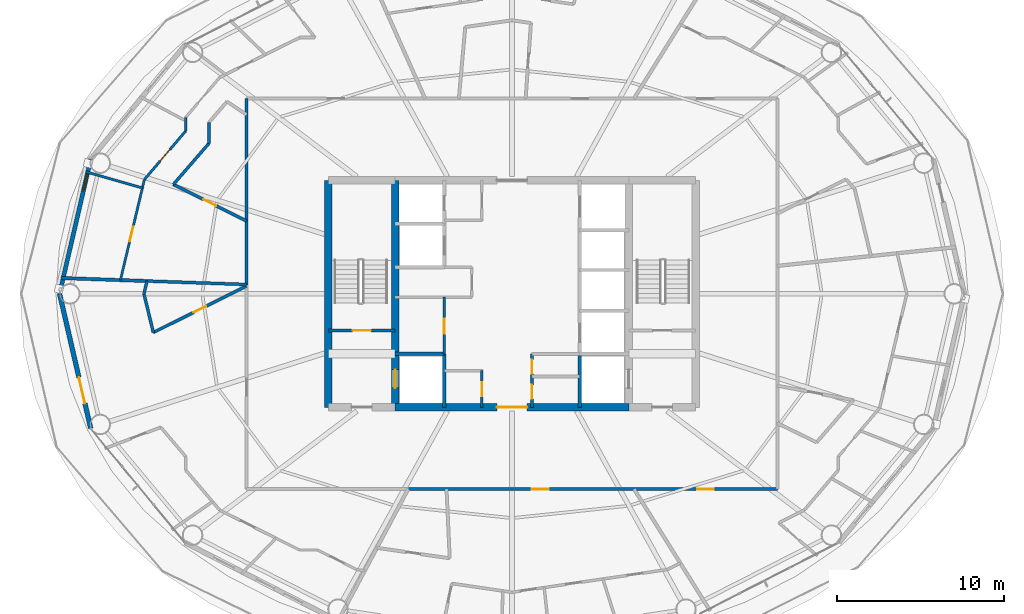
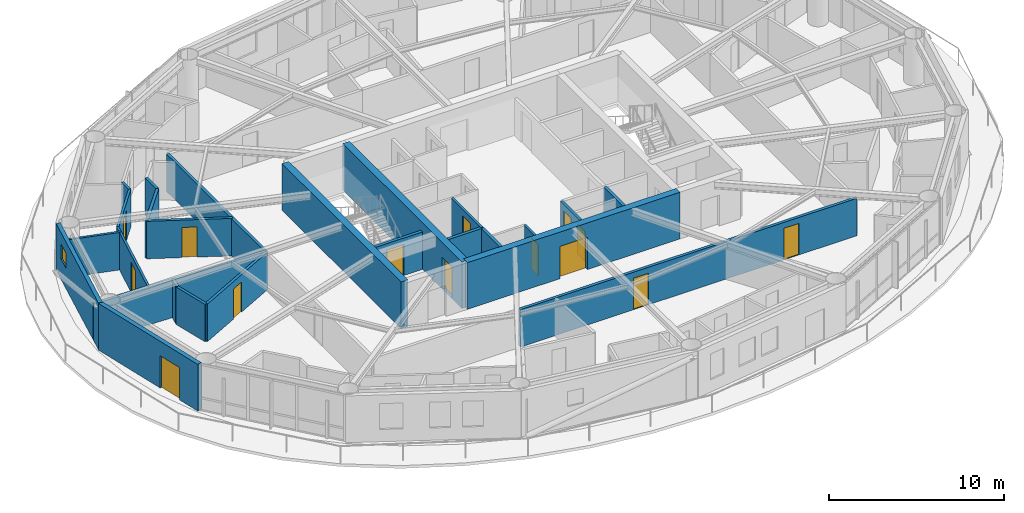
# One storey, part 21 of 28: 26 walls, 14 doors, 1 window, 15 openings.
"""IFC4 building model written with IfcOpenShell, lengths in metres."""

import ifcopenshell
import ifcopenshell.guid

model = None  # the IFC model being written
_history = None  # IfcOwnerHistory: only IFC2X3 demands one
_inside = {}  # id of a spatial element -> (the spatial element, [elements in it])
_under = {}  # id of a project, library or spatial element -> (it, [spatial elements below it])
_declared = {}  # id of a project -> (the project, [libraries it declares])
_typed = {}  # id of a type object -> (the type object, [elements of that type])
_made_of = {}  # id of a material, layer set ... -> (it, [elements and type objects made of it])


def new_model(schema):
    """Start an empty IFC model of exactly this schema.

    Asked for "IFC4X3", IfcOpenShell would pick the latest addendum, in which some entities
    have other attributes; the version numbers below select the first issue.
    IFC2X3 requires an IfcOwnerHistory on every rooted entity: one is made here for all.
    """
    global model, _history
    if schema == "IFC4X3":
        model = ifcopenshell.file(schema_version=(4, 3, 0, 0))
    else:
        model = ifcopenshell.file(schema=schema)
    _inside.clear()
    _under.clear()
    _declared.clear()
    _typed.clear()
    _made_of.clear()
    _history = None
    if model.schema == "IFC2X3":
        org = make("IfcOrganization", Name="unknown")
        user = make(
            "IfcPersonAndOrganization",
            ThePerson=make("IfcPerson", FamilyName="unknown"),
            TheOrganization=org,
        )
        app = make(
            "IfcApplication",
            ApplicationDeveloper=org,
            Version="unknown",
            ApplicationFullName="unknown",
            ApplicationIdentifier="unknown",
        )
        _history = make(
            "IfcOwnerHistory",
            OwningUser=user,
            OwningApplication=app,
            ChangeAction="ADDED",
            CreationDate=0,
        )
    return model


def make(cls, **values):
    """One entity of the class cls with the attributes given. An attribute that is None is left unset."""
    return model.create_entity(
        cls, **{name: value for name, value in values.items() if value is not None}
    )


def rooted(cls, **values):
    """An entity with a GlobalId (a new one), such as an element, a storey or a relation."""
    return make(cls, GlobalId=ifcopenshell.guid.new(), OwnerHistory=_history, **values)


def si_unit(unit_type, name, prefix=None):
    """IfcSIUnit, for example si_unit("LENGTHUNIT", "METRE", prefix="MILLI")."""
    return make("IfcSIUnit", UnitType=unit_type, Prefix=prefix, Name=name)


def assignment(units):
    """IfcUnitAssignment: the units of a project."""
    return None if units is None else make("IfcUnitAssignment", Units=units)


def point(xyz):
    """IfcCartesianPoint."""
    return None if xyz is None else make("IfcCartesianPoint", Coordinates=xyz)


def direction(xyz):
    """IfcDirection."""
    return None if xyz is None else make("IfcDirection", DirectionRatios=xyz)


def frame(location, z_axis=None, x_axis=None):
    """IfcAxis2Placement3D, a coordinate frame: its origin and axes. An axis left out is left unset."""
    return make(
        "IfcAxis2Placement3D",
        Location=point(location),
        Axis=direction(z_axis),
        RefDirection=direction(x_axis),
    )


def frame_2d(location, x_axis=None):
    """IfcAxis2Placement2D, a coordinate frame in the plane: its origin and x axis."""
    return make(
        "IfcAxis2Placement2D", Location=point(location), RefDirection=direction(x_axis)
    )


def origin():
    """The frame at (0, 0, 0) with its axes left unset."""
    return frame((0.0, 0.0, 0.0))


def place(relative_to, where):
    """IfcLocalPlacement: puts the frame where relative to a parent placement (None: the world)."""
    return make(
        "IfcLocalPlacement", PlacementRelTo=relative_to, RelativePlacement=where
    )


def context(
    kind, dimensions, precision=None, world=None, true_north=None, identifier=None
):
    """IfcGeometricRepresentationContext, for example the 3D "Model" context."""
    return make(
        "IfcGeometricRepresentationContext",
        ContextIdentifier=identifier,
        ContextType=kind,
        CoordinateSpaceDimension=dimensions,
        Precision=precision,
        WorldCoordinateSystem=world,
        TrueNorth=true_north,
    )


def subcontext(parent, identifier, kind, view, scale=None):
    """IfcGeometricRepresentationSubContext, for example "Body" below "Model"."""
    return make(
        "IfcGeometricRepresentationSubContext",
        ContextIdentifier=identifier,
        ContextType=kind,
        ParentContext=parent,
        TargetScale=scale,
        TargetView=view,
    )


def project(units=None, contexts=None):
    """IfcProject with its units and contexts."""
    return rooted(
        "IfcProject",
        Name="project",
        RepresentationContexts=contexts,
        UnitsInContext=assignment(units),
    )


def spatial(cls, under=None, at=None, **own):
    """A site, building, storey or space (cls), placed at a placement, below another one or the project."""
    s = rooted(cls, ObjectPlacement=at, **own)
    if under is not None:
        _under.setdefault(under.id(), (under, []))[1].append(s)
    return s


def profile(cls, at=None, kind="AREA", **sizes):
    """A parametric profile (cls). Its sizes go by their IFC names, for example OverallWidth=200.0."""
    return make(cls, ProfileType=kind, Position=at, **sizes)


def rectangle(**sizes):
    """IfcRectangleProfileDef."""
    return profile("IfcRectangleProfileDef", **sizes)


def extrude(swept, where, along, depth):
    """IfcExtrudedAreaSolid: the profile swept, set in the frame where, extruded along a direction by depth."""
    return make(
        "IfcExtrudedAreaSolid",
        SweptArea=swept,
        Position=where,
        ExtrudedDirection=direction(along),
        Depth=depth,
    )


def shape(context_of_items, identifier, shape_type, items):
    """IfcShapeRepresentation: the items that make up one representation, for example the "Body"."""
    return make(
        "IfcShapeRepresentation",
        ContextOfItems=context_of_items,
        RepresentationIdentifier=identifier,
        RepresentationType=shape_type,
        Items=items,
    )


def material(Name=None, Category=None):
    """IfcMaterial."""
    return make("IfcMaterial", Name=Name, Category=Category)


def layer(
    of_material, thickness, ventilated=None, Name=None, Category=None, Priority=None
):
    """IfcMaterialLayer: one layer of a wall or slab, of a material (None: an air gap)."""
    return make(
        "IfcMaterialLayer",
        Material=of_material,
        LayerThickness=thickness,
        IsVentilated=ventilated,
        Name=Name,
        Category=Category,
        Priority=Priority,
    )


def layer_set(layers, Name=None):
    """IfcMaterialLayerSet."""
    return make("IfcMaterialLayerSet", MaterialLayers=layers, LayerSetName=Name)


def made_of(thing, what):
    """Note that an element or type object is made of a material, layer set ...; save() writes the relation."""
    if what is not None:
        _made_of.setdefault(what.id(), (what, []))[1].append(thing)
    return thing


def type_object(cls, material=None, **own):
    """A type object (cls), such as IfcWallType, which elements share."""
    return made_of(rooted(cls, **own), material)


def element(
    cls,
    number,
    at=None,
    inside=None,
    cuts=None,
    type_object=None,
    material=None,
    context=None,
    identifier="Body",
    shape_type=None,
    held_by="IfcProductDefinitionShape",
    body=None,
    shapes=None,
    **own,
):
    """One element of the class cls, such as IfcWall. Its Tag is "e" and its number.

    at: its placement. inside: the storey or other place that contains it. cuts: it is an
    opening in that element (IfcRelVoidsElement). A single representation is given by context,
    identifier, shape_type and body (its items); several are given by shapes. held_by: the class
    of the entity that holds the representations. save() writes the other relations.
    """
    e = rooted(cls, Tag="e%d" % number, ObjectPlacement=at, **own)
    if body is not None:
        shapes = [shape(context, identifier, shape_type, body)]
    if shapes is not None:
        e.Representation = make(held_by, Representations=shapes)
    if inside is not None:
        _inside.setdefault(inside.id(), (inside, []))[1].append(e)
    if cuts is not None:
        rooted(
            "IfcRelVoidsElement", RelatingBuildingElement=cuts, RelatedOpeningElement=e
        )
    if type_object is not None:
        _typed.setdefault(type_object.id(), (type_object, []))[1].append(e)
    return made_of(e, material)


def fill(opening, filler):
    """IfcRelFillsElement: the door or window that sits in an opening."""
    return rooted(
        "IfcRelFillsElement",
        RelatingOpeningElement=opening,
        RelatedBuildingElement=filler,
    )


def aggregate(whole, parts):
    """IfcRelAggregates: a whole, such as a stair, and the parts it consists of."""
    return rooted("IfcRelAggregates", RelatingObject=whole, RelatedObjects=parts)


def save(model, path):
    """Write the relations noted so far, then the file.

    IfcRelAggregates (storeys below a building ...), IfcRelContainedInSpatialStructure (elements
    in a storey), IfcRelDefinesByType, IfcRelAssociatesMaterial and IfcRelDeclares: one each for
    every whole, place, type object, material and project.
    """
    for whole, parts in _under.values():
        aggregate(whole, parts)
    for where, things in _inside.values():
        rooted(
            "IfcRelContainedInSpatialStructure",
            RelatedElements=things,
            RelatingStructure=where,
        )
    for kind, things in _typed.values():
        rooted("IfcRelDefinesByType", RelatedObjects=things, RelatingType=kind)
    for what, things in _made_of.values():
        rooted("IfcRelAssociatesMaterial", RelatedObjects=things, RelatingMaterial=what)
    for by, libraries in _declared.values():
        rooted("IfcRelDeclares", RelatingContext=by, RelatedDefinitions=libraries)
    model.write(path)


model = new_model("IFC4")

# Units and contexts
model_context = context("Model", 3, precision=1e-05, world=origin(), true_north=direction((0.0, 1.0)))
body_context = subcontext(model_context, "Body", "Model", "MODEL_VIEW")
ifc_project = project(units=[si_unit("LENGTHUNIT", "METRE"), si_unit("AREAUNIT", "SQUARE_METRE"), si_unit("VOLUMEUNIT", "CUBIC_METRE"), si_unit("PLANEANGLEUNIT", "RADIAN"), si_unit("MASSUNIT", "GRAM", prefix="KILO")], contexts=[model_context])

# Site, building, storey
site_placement = place(None, origin())
site = spatial("IfcSite", under=ifc_project, at=site_placement, CompositionType="ELEMENT")
building_placement = place(site_placement, origin())
building = spatial("IfcBuilding", under=site, at=building_placement, Name="Sarneth Arch Tower", CompositionType="ELEMENT")
storey_placement = place(building_placement, frame((0.0, 0.0, 197.39990234375)))
storey = spatial("IfcBuildingStorey", under=building, at=storey_placement, Name="L50", CompositionType="ELEMENT", Elevation=197.39990234375)

# Wall, opening, door
ifc_material_1 = material(Name="Concrete C50/60", Category="concrete")
ifc_layer_1 = layer(ifc_material_1, 0.449951171875)
ifc_layer_set_1 = layer_set([ifc_layer_1], Name="Concrete C50/60")
wall_type_1 = type_object("IfcWallType", Name="WALL-CORE-450", PredefinedType="SHEAR", material=ifc_layer_set_1)
wall_1_placement = place(storey_placement, frame((41.0, 35.199951171875, 0.0), z_axis=(0.0, 0.0, 1.0), x_axis=(1.0, 0.0, 0.0)))
wall_1 = element("IfcWall", 1, at=wall_1_placement, inside=storey, type_object=wall_type_1, Name="L50 Core shear wall S-M", PredefinedType="SHEAR", context=body_context, shape_type="SweptSolid", body=[
    extrude(rectangle(XDim=14.0, YDim=0.449951171875, at=frame_2d((7.0, 0.0))), origin(), (0.0, 0.0, 1.0), 3.25),
])
opening_1_placement = place(wall_1_placement, frame((6.10009765625, 0.0, 0.0)))
opening_1 = element("IfcOpeningElement", 2, at=opening_1_placement, cuts=wall_1, Name="Opening FD-01", PredefinedType="OPENING", context=body_context, shape_type="SweptSolid", body=[
    extrude(rectangle(XDim=1.800048828125, YDim=2.25, at=frame_2d((0.89990234375, 1.125))), frame((0.0, 0.23486328125, 0.0), z_axis=(0.0, -1.0, 0.0), x_axis=(1.0, 0.0, 0.0)), (0.0, 0.0, 1.0), 0.469970703125),
])
ifc_material_2 = material(Name="Galvanised Steel S275 fire door set", Category="steel")
door_type_1 = type_object("IfcDoorType", Name="DR-FD90-1800", OperationType="DOUBLE_DOOR_SINGLE_SWING", PredefinedType="DOOR", material=ifc_material_2)
door_1_placement = place(opening_1_placement, origin())
door_1 = element("IfcDoor", 3, at=door_1_placement, inside=storey, type_object=door_type_1, Name="L50 Central lift lobby south door", OperationType="DOUBLE_DOOR_SINGLE_SWING", OverallHeight=2.25, OverallWidth=1.800048828125, PredefinedType="DOOR", context=body_context, shape_type="SweptSolid", body=[
    extrude(rectangle(XDim=1.800048828125, YDim=2.25, at=frame_2d((0.89990234375, 1.125))), frame((0.0, 0.02490234375, 0.0), z_axis=(0.0, -1.0, 0.0), x_axis=(1.0, 0.0, 0.0)), (0.0, 0.0, 1.0), 0.050048828125),
])
fill(opening_1, door_1)

# Wall
wall_2_placement = place(storey_placement, frame((37.0, 35.199951171875, 0.0), z_axis=(0.0, 0.0, 1.0), x_axis=(0.0, 1.0, 0.0)))
element("IfcWall", 4, at=wall_2_placement, inside=storey, type_object=wall_type_1, Name="L50 Core shear wall W", PredefinedType="SHEAR", context=body_context, shape_type="SweptSolid", body=[
    extrude(rectangle(XDim=13.60009765625, YDim=0.449951171875, at=frame_2d((6.800048828125, 0.0))), origin(), (0.0, 0.0, 1.0), 3.25),
])

# Wall, opening, door
wall_3_placement = place(storey_placement, frame((41.0, 35.199951171875, 0.0), z_axis=(0.0, 0.0, 1.0), x_axis=(0.0, 1.0, 0.0)))
wall_3 = element("IfcWall", 5, at=wall_3_placement, inside=storey, type_object=wall_type_1, Name="L50 Core shear wall WEB-W", PredefinedType="SHEAR", context=body_context, shape_type="SweptSolid", body=[
    extrude(rectangle(XDim=13.60009765625, YDim=0.449951171875, at=frame_2d((6.800048828125, 0.0))), origin(), (0.0, 0.0, 1.0), 3.25),
])
opening_2_placement = place(wall_3_placement, frame((1.14990234375, 0.0, 0.0)))
opening_2 = element("IfcOpeningElement", 6, at=opening_2_placement, cuts=wall_3, Name="Opening LD-1", PredefinedType="OPENING", context=body_context, shape_type="SweptSolid", body=[
    extrude(rectangle(XDim=1.10009765625, YDim=2.199951171875, at=frame_2d((0.550048828125, 1.10009765625))), frame((0.0, 0.23486328125, 0.0), z_axis=(0.0, -1.0, 0.0), x_axis=(1.0, 0.0, 0.0)), (0.0, 0.0, 1.0), 0.469970703125),
])
ifc_material_3 = material(Name="Brushed Stainless Steel 304 lift landing door", Category="steel")
door_type_2 = type_object("IfcDoorType", Name="DR-LIFT-SLIDE-1100", OperationType="SLIDING_TO_LEFT", PredefinedType="DOOR", material=ifc_material_3)
door_2_placement = place(opening_2_placement, origin())
door_2 = element("IfcDoor", 7, at=door_2_placement, inside=storey, type_object=door_type_2, Name="L50 Firefighting lift landing door FL-1", OperationType="SLIDING_TO_LEFT", OverallHeight=2.199951171875, OverallWidth=1.10009765625, PredefinedType="DOOR", context=body_context, shape_type="SweptSolid", body=[
    extrude(rectangle(XDim=1.10009765625, YDim=2.199951171875, at=frame_2d((0.550048828125, 1.10009765625))), frame((0.0, 0.02490234375, 0.0), z_axis=(0.0, -1.0, 0.0), x_axis=(1.0, 0.0, 0.0)), (0.0, 0.0, 1.0), 0.050048828125),
])
fill(opening_2, door_2)

# Wall, openings, doors
ifc_material_4 = material(Name="Double steel-stud corridor fire wall", Category="steel")
ifc_layer_2 = layer(ifc_material_4, 0.18994140625)
ifc_layer_set_2 = layer_set([ifc_layer_2], Name="Double steel-stud corridor fire wall")
wall_type_2 = type_object("IfcWallType", Name="WALL-CORR-190", PredefinedType="PARTITIONING", material=ifc_layer_set_2)
wall_4_placement = place(storey_placement, frame((41.742919921875, 30.300048828125, 0.0), z_axis=(0.0, 0.0, 1.0), x_axis=(1.0, 0.0, 0.0)))
wall_4 = element("IfcWall", 8, at=wall_4_placement, inside=storey, type_object=wall_type_2, Name="L50 Interior partition W-L50-TP-014", PredefinedType="PARTITIONING", context=body_context, shape_type="SweptSolid", body=[
    extrude(rectangle(XDim=22.156982421875, YDim=0.18994140625, at=frame_2d((11.07861328125, 0.0))), origin(), (0.0, 0.0, 1.0), 2.610107421875),
])
opening_3_placement = place(wall_4_placement, frame((7.451171875, 0.0, 0.0)))
opening_3 = element("IfcOpeningElement", 9, at=opening_3_placement, cuts=wall_4, Name="Opening FD-08", PredefinedType="OPENING", context=body_context, shape_type="SweptSolid", body=[
    extrude(rectangle(XDim=1.0, YDim=2.199951171875, at=frame_2d((0.5, 1.10009765625))), frame((0.0, 0.10498046875, 0.0), z_axis=(0.0, -1.0, 0.0), x_axis=(1.0, 0.0, 0.0)), (0.0, 0.0, 1.0), 0.2099609375),
])
opening_4_placement = place(wall_4_placement, frame((17.343994140625, 0.0, 0.0)))
opening_4 = element("IfcOpeningElement", 10, at=opening_4_placement, cuts=wall_4, Name="Opening FD-08", PredefinedType="OPENING", context=body_context, shape_type="SweptSolid", body=[
    extrude(rectangle(XDim=1.0, YDim=2.199951171875, at=frame_2d((0.5, 1.10009765625))), frame((0.0, 0.10498046875, 0.0), z_axis=(0.0, -1.0, 0.0), x_axis=(1.0, 0.0, 0.0)), (0.0, 0.0, 1.0), 0.2099609375),
])
ifc_material_5 = material(Name="Hardwood timber acoustic fire door", Category="wood")
door_type_3 = type_object("IfcDoorType", Name="DR-FD60-1000", OperationType="SINGLE_SWING_LEFT", PredefinedType="DOOR", material=ifc_material_5)
door_3_placement = place(opening_3_placement, origin())
door_3 = element("IfcDoor", 11, at=door_3_placement, inside=storey, type_object=door_type_3, Name="L50 Interior door DR-L50-U5-ENT", OperationType="SINGLE_SWING_RIGHT", OverallHeight=2.199951171875, OverallWidth=1.0, PredefinedType="DOOR", context=body_context, shape_type="SweptSolid", body=[
    extrude(rectangle(XDim=1.0, YDim=2.199951171875, at=frame_2d((0.5, 1.10009765625))), frame((0.0, 0.02490234375, 0.0), z_axis=(0.0, -1.0, 0.0), x_axis=(1.0, 0.0, 0.0)), (0.0, 0.0, 1.0), 0.050048828125),
])
fill(opening_3, door_3)
door_4_placement = place(opening_4_placement, origin())
door_4 = element("IfcDoor", 12, at=door_4_placement, inside=storey, type_object=door_type_3, Name="L50 Interior door DR-L50-U6-ENT", OperationType="SINGLE_SWING_RIGHT", OverallHeight=2.199951171875, OverallWidth=1.0, PredefinedType="DOOR", context=body_context, shape_type="SweptSolid", body=[
    extrude(rectangle(XDim=1.0, YDim=2.199951171875, at=frame_2d((0.5, 1.10009765625))), frame((0.0, 0.02490234375, 0.0), z_axis=(0.0, -1.0, 0.0), x_axis=(1.0, 0.0, 0.0)), (0.0, 0.0, 1.0), 0.050048828125),
])
fill(opening_4, door_4)

# Wall
wall_5_placement = place(storey_placement, frame((32.10009765625, 42.523193359375, 0.0), z_axis=(0.0, 0.0, 1.0), x_axis=(0.0, 1.0, 0.0)))
element("IfcWall", 13, at=wall_5_placement, inside=storey, type_object=wall_type_2, Name="L50 Interior partition W-L50-TP-010", PredefinedType="PARTITIONING", context=body_context, shape_type="SweptSolid", body=[
    extrude(rectangle(XDim=11.1767578125, YDim=0.18994140625, at=frame_2d((5.58837890625, 0.0))), origin(), (0.0, 0.0, 1.0), 2.610107421875),
])

# Wall, opening, window
ifc_material_6 = material(Name="Extruded terracotta rainscreen on Concrete C40/50 backing", Category="masonry")
ifc_layer_3 = layer(ifc_material_6, 0.25)
ifc_layer_set_3 = layer_set([ifc_layer_3], Name="Extruded terracotta rainscreen on Concrete C40/50 backing")
wall_type_3 = type_object("IfcWallType", Name="WALL-EXT-SPAND-250", PredefinedType="SOLIDWALL", material=ifc_layer_set_3)
wall_6_placement = place(storey_placement, frame((22.767578125, 50.06689453125, 0.0), z_axis=(0.0, 0.0, 1.0), x_axis=(-0.225473184558, -0.974249374157, 0.0)))
wall_6 = element("IfcWall", 14, at=wall_6_placement, inside=storey, type_object=wall_type_3, Name="L50 Terracotta perimeter wall 08", PredefinedType="SOLIDWALL", context=body_context, shape_type="SweptSolid", body=[
    extrude(rectangle(XDim=8.280029296875, YDim=0.25, at=frame_2d((4.14013671875, 0.0))), origin(), (0.0, 0.0, 1.0), 3.25),
])
opening_5_placement = place(wall_6_placement, frame((0.9462890625, 0.0, 1.419921875)))
opening_5 = element("IfcOpeningElement", 15, at=opening_5_placement, cuts=wall_6, Name="Opening W-14", PredefinedType="OPENING", context=body_context, shape_type="SweptSolid", body=[
    extrude(rectangle(XDim=1.0, YDim=1.050048828125, at=frame_2d((0.5, 0.52490234375))), frame((0.0, 0.135009765625, 0.0), z_axis=(0.0, -1.0, 0.0), x_axis=(1.0, 0.0, 0.0)), (0.0, 0.0, 1.0), 0.27001953125),
])
ifc_material_7 = material(Name="Thermally broken Aluminium 6063-T6 and low-e laminated IGU", Category="aluminium")
window_type = type_object("IfcWindowType", Name="WIN-TWR-1000x1050", PartitioningType="SINGLE_PANEL", PredefinedType="WINDOW", material=ifc_material_7)
window_placement = place(opening_5_placement, origin())
window = element("IfcWindow", 16, at=window_placement, inside=storey, type_object=window_type, Name="L50 Dwelling bedroom window 02", OverallHeight=1.050048828125, OverallWidth=1.0, PartitioningType="SINGLE_PANEL", PredefinedType="WINDOW", context=body_context, shape_type="SweptSolid", body=[
    extrude(rectangle(XDim=1.0, YDim=1.050048828125, at=frame_2d((0.5, 0.52490234375))), frame((0.0, 0.030029296875, 0.0), z_axis=(0.0, -1.0, 0.0), x_axis=(1.0, 0.0, 0.0)), (0.0, 0.0, 1.0), 0.06005859375),
])
fill(opening_5, window)

# Wall, opening, door
ifc_material_8 = material(Name="Extruded terracotta rainscreen on Concrete C40/50 backing", Category="masonry")
ifc_layer_4 = layer(ifc_material_8, 0.280029296875)
ifc_layer_set_4 = layer_set([ifc_layer_4], Name="Extruded terracotta rainscreen on Concrete C40/50 backing")
wall_type_4 = type_object("IfcWallType", Name="WALL-EXT-TERRA-280", PredefinedType="SOLIDWALL", material=ifc_layer_set_4)
wall_7_placement = place(storey_placement, frame((20.900634765625, 42.0, 0.0), z_axis=(0.0, 0.0, 1.0), x_axis=(0.225473184558, -0.974249374157, 0.0)))
wall_7 = element("IfcWall", 17, at=wall_7_placement, inside=storey, type_object=wall_type_4, Name="L50 Terracotta perimeter wall 09", PredefinedType="SOLIDWALL", context=body_context, shape_type="SweptSolid", body=[
    extrude(rectangle(XDim=8.280029296875, YDim=0.280029296875, at=frame_2d((4.14013671875, 0.0))), origin(), (0.0, 0.0, 1.0), 3.25),
])
opening_6_placement = place(wall_7_placement, frame((5.143798828125, 0.0, 0.0)))
opening_6 = element("IfcOpeningElement", 18, at=opening_6_placement, cuts=wall_7, Name="Opening BD-1", PredefinedType="OPENING", context=body_context, shape_type="SweptSolid", body=[
    extrude(rectangle(XDim=1.60009765625, YDim=2.25, at=frame_2d((0.800048828125, 1.125))), frame((0.0, 0.14990234375, 0.0), z_axis=(0.0, -1.0, 0.0), x_axis=(1.0, 0.0, 0.0)), (0.0, 0.0, 1.0), 0.300048828125),
])
ifc_material_9 = material(Name="Thermally broken Aluminium 6063-T6 and laminated safety glass", Category="aluminium")
door_type_4 = type_object("IfcDoorType", Name="DR-BALC-GLZ-1600", OperationType="DOUBLE_DOOR_SINGLE_SWING", PredefinedType="DOOR", material=ifc_material_9)
door_5_placement = place(opening_6_placement, origin())
door_5 = element("IfcDoor", 19, at=door_5_placement, inside=storey, type_object=door_type_4, Name="L50 Balcony glazed door 09", OperationType="DOUBLE_DOOR_SINGLE_SWING", OverallHeight=2.25, OverallWidth=1.60009765625, PredefinedType="DOOR", context=body_context, shape_type="SweptSolid", body=[
    extrude(rectangle(XDim=1.60009765625, YDim=2.25, at=frame_2d((0.800048828125, 1.125))), frame((0.0, 0.02490234375, 0.0), z_axis=(0.0, -1.0, 0.0), x_axis=(1.0, 0.0, 0.0)), (0.0, 0.0, 1.0), 0.050048828125),
])
fill(opening_6, door_5)

ifc_material_10 = material(Name="Apartment internal stud partition", Category="gypsum")
ifc_layer_5 = layer(ifc_material_10, 0.139892578125)
ifc_layer_set_5 = layer_set([ifc_layer_5], Name="Apartment internal stud partition")
wall_type_5 = type_object("IfcWallType", Name="WALL-PART-140", PredefinedType="PARTITIONING", material=ifc_layer_set_5)
wall_8_placement = place(storey_placement, frame((25.980712890625, 48.84228515625, 0.0), z_axis=(0.0, 0.0, 1.0), x_axis=(-0.231656065658, -0.972797752487, 0.0)))
wall_8 = element("IfcWall", 20, at=wall_8_placement, inside=storey, type_object=wall_type_5, Name="L50 Interior partition W-L50-TP-068", PredefinedType="PARTITIONING", context=body_context, shape_type="SweptSolid", body=[
    extrude(rectangle(XDim=6.191650390625, YDim=0.139892578125, at=frame_2d((3.095703125, 0.0))), origin(), (0.0, 0.0, 1.0), 2.610107421875),
])
opening_7_placement = place(wall_8_placement, frame((2.9052734375, 0.0, 0.0)))
opening_7 = element("IfcOpeningElement", 21, at=opening_7_placement, cuts=wall_8, Name="Opening ID-01", PredefinedType="OPENING", context=body_context, shape_type="SweptSolid", body=[
    extrude(rectangle(XDim=0.89990234375, YDim=2.10009765625, at=frame_2d((0.449951171875, 1.050048828125))), frame((0.0, 0.079833984375, 0.0), z_axis=(0.0, -1.0, 0.0), x_axis=(1.0, 0.0, 0.0)), (0.0, 0.0, 1.0), 0.159912109375),
])
ifc_material_11 = material(Name="Engineered hardwood flush door", Category="wood")
door_type_5 = type_object("IfcDoorType", Name="DR-INT-900", OperationType="SINGLE_SWING_LEFT", PredefinedType="DOOR", material=ifc_material_11)
door_6_placement = place(opening_7_placement, origin())
door_6 = element("IfcDoor", 22, at=door_6_placement, inside=storey, type_object=door_type_5, Name="L50 Interior door DR-L50-U3-BED3", OperationType="SINGLE_SWING_RIGHT", OverallHeight=2.10009765625, OverallWidth=0.89990234375, PredefinedType="DOOR", context=body_context, shape_type="SweptSolid", body=[
    extrude(rectangle(XDim=0.89990234375, YDim=2.10009765625, at=frame_2d((0.449951171875, 1.050048828125))), frame((0.0, 0.02490234375, 0.0), z_axis=(0.0, -1.0, 0.0), x_axis=(1.0, 0.0, 0.0)), (0.0, 0.0, 1.0), 0.050048828125),
])
fill(opening_7, door_6)

ifc_material_12 = material(Name="Acoustic gypsum stud partition", Category="gypsum")
ifc_layer_6 = layer(ifc_material_12, 0.14990234375)
ifc_layer_set_6 = layer_set([ifc_layer_6], Name="Acoustic gypsum stud partition")
wall_type_6 = type_object("IfcWallType", Name="WALL-PART-150", PredefinedType="PARTITIONING", material=ifc_layer_set_6)
wall_9_placement = place(storey_placement, frame((43.949951171875, 38.39990234375, 0.0), z_axis=(0.0, 0.0, 1.0), x_axis=(0.0, 1.0, 0.0)))
wall_9 = element("IfcWall", 23, at=wall_9_placement, inside=storey, type_object=wall_type_6, Name="L50 Interior partition W-L50-RECPL-E1", PredefinedType="PARTITIONING", context=body_context, shape_type="SweptSolid", body=[
    extrude(rectangle(XDim=3.400146484375, YDim=0.14990234375, at=frame_2d((1.7001953125, 0.0))), origin(), (0.0, 0.0, 1.0), 2.610107421875),
])
opening_8_placement = place(wall_9_placement, frame((1.199951171875, 0.0, 0.0)))
opening_8 = element("IfcOpeningElement", 24, at=opening_8_placement, cuts=wall_9, Name="Opening FD-10", PredefinedType="OPENING", context=body_context, shape_type="SweptSolid", body=[
    extrude(rectangle(XDim=0.89990234375, YDim=2.14990234375, at=frame_2d((0.449951171875, 1.074951171875))), frame((0.0, 0.0849609375, 0.0), z_axis=(0.0, -1.0, 0.0), x_axis=(1.0, 0.0, 0.0)), (0.0, 0.0, 1.0), 0.169921875),
])
ifc_material_13 = material(Name="Galvanised Steel S275 riser/service fire door", Category="steel")
door_type_6 = type_object("IfcDoorType", Name="DR-FD60-900", OperationType="SINGLE_SWING_LEFT", PredefinedType="DOOR", material=ifc_material_13)
door_7_placement = place(opening_8_placement, origin())
door_7 = element("IfcDoor", 25, at=door_7_placement, inside=storey, type_object=door_type_6, Name="L50 Interior door DR-L50-RECPL1", OperationType="SINGLE_SWING_LEFT", OverallHeight=2.14990234375, OverallWidth=0.89990234375, PredefinedType="DOOR", context=body_context, shape_type="SweptSolid", body=[
    extrude(rectangle(XDim=0.89990234375, YDim=2.14990234375, at=frame_2d((0.449951171875, 1.074951171875))), frame((0.0, 0.02490234375, 0.0), z_axis=(0.0, -1.0, 0.0), x_axis=(1.0, 0.0, 0.0)), (0.0, 0.0, 1.0), 0.050048828125),
])
fill(opening_8, door_7)

wall_10_placement = place(storey_placement, frame((46.199951171875, 35.199951171875, 0.0), z_axis=(0.0, 0.0, 1.0), x_axis=(0.0, 1.0, 0.0)))
wall_10 = element("IfcWall", 26, at=wall_10_placement, inside=storey, type_object=wall_type_6, Name="L50 Interior partition W-L50-CSUP1-E", PredefinedType="PARTITIONING", context=body_context, shape_type="SweptSolid", body=[
    extrude(rectangle(XDim=2.199951171875, YDim=0.14990234375, at=frame_2d((1.10009765625, 0.0))), origin(), (0.0, 0.0, 1.0), 2.610107421875),
])
opening_9_placement = place(wall_10_placement, frame((0.64990234375, 0.0, 0.0)))
opening_9 = element("IfcOpeningElement", 27, at=opening_9_placement, cuts=wall_10, Name="Opening FD-11", PredefinedType="OPENING", context=body_context, shape_type="SweptSolid", body=[
    extrude(rectangle(XDim=0.85009765625, YDim=2.14990234375, at=frame_2d((0.425048828125, 1.074951171875))), frame((0.0, 0.0849609375, 0.0), z_axis=(0.0, -1.0, 0.0), x_axis=(1.0, 0.0, 0.0)), (0.0, 0.0, 1.0), 0.169921875),
])
ifc_material_14 = material(Name="Galvanised Steel S275 closet fire door", Category="steel")
door_type_7 = type_object("IfcDoorType", Name="DR-FD60-850", OperationType="SINGLE_SWING_LEFT", PredefinedType="DOOR", material=ifc_material_14)
door_8_placement = place(opening_9_placement, origin())
door_8 = element("IfcDoor", 28, at=door_8_placement, inside=storey, type_object=door_type_7, Name="L50 Interior door DR-L50-CSUP1", OperationType="SINGLE_SWING_LEFT", OverallHeight=2.14990234375, OverallWidth=0.85009765625, PredefinedType="DOOR", context=body_context, shape_type="SweptSolid", body=[
    extrude(rectangle(XDim=0.85009765625, YDim=2.14990234375, at=frame_2d((0.425048828125, 1.074951171875))), frame((0.0, 0.02490234375, 0.0), z_axis=(0.0, -1.0, 0.0), x_axis=(1.0, 0.0, 0.0)), (0.0, 0.0, 1.0), 0.050048828125),
])
fill(opening_9, door_8)

wall_11_placement = place(storey_placement, frame((25.980712890625, 48.84228515625, 0.0), z_axis=(0.0, 0.0, 1.0), x_axis=(0.648022171798, 0.761621470849, 0.0)))
wall_11 = element("IfcWall", 29, at=wall_11_placement, inside=storey, type_object=wall_type_6, Name="L50 Interior partition W-L50-TP-066", PredefinedType="PARTITIONING", context=body_context, shape_type="SweptSolid", body=[
    extrude(rectangle(XDim=3.810302734375, YDim=0.14990234375, at=frame_2d((1.9052734375, 0.0))), origin(), (0.0, 0.0, 1.0), 2.610107421875),
])
opening_10_placement = place(wall_11_placement, frame((1.455078125, 0.0, 0.0)))
opening_10 = element("IfcOpeningElement", 30, at=opening_10_placement, cuts=wall_11, Name="Opening ID-01", PredefinedType="OPENING", context=body_context, shape_type="SweptSolid", body=[
    extrude(rectangle(XDim=0.89990234375, YDim=2.10009765625, at=frame_2d((0.449951171875, 1.050048828125))), frame((0.0, 0.0849609375, 0.0), z_axis=(0.0, -1.0, 0.0), x_axis=(1.0, 0.0, 0.0)), (0.0, 0.0, 1.0), 0.169921875),
])
door_9_placement = place(opening_10_placement, origin())
door_9 = element("IfcDoor", 31, at=door_9_placement, inside=storey, type_object=door_type_5, Name="L50 Interior door DR-L50-U3-BED2", OperationType="SINGLE_SWING_LEFT", OverallHeight=2.10009765625, OverallWidth=0.89990234375, PredefinedType="DOOR", context=body_context, shape_type="SweptSolid", body=[
    extrude(rectangle(XDim=0.89990234375, YDim=2.10009765625, at=frame_2d((0.449951171875, 1.050048828125))), frame((0.0, 0.02490234375, 0.0), z_axis=(0.0, -1.0, 0.0), x_axis=(1.0, 0.0, 0.0)), (0.0, 0.0, 1.0), 0.050048828125),
])
fill(opening_10, door_9)

# Walls
wall_12_placement = place(storey_placement, frame((22.468994140625, 49.30859375, 0.0), z_axis=(0.0, 0.0, 1.0), x_axis=(0.961393254498, -0.275178142674, 0.0)))
element("IfcWall", 32, at=wall_12_placement, inside=storey, type_object=wall_type_6, Name="L50 Interior partition W-L50-TP-074", PredefinedType="PARTITIONING", context=body_context, shape_type="SweptSolid", body=[
    extrude(rectangle(XDim=3.527587890625, YDim=0.14990234375, at=frame_2d((1.763671875, 0.0))), origin(), (0.0, 0.0, 1.0), 2.610107421875),
])
wall_13_placement = place(storey_placement, frame((28.449951171875, 51.744384765625, 0.0), z_axis=(0.0, 0.0, 1.0), x_axis=(0.0, 1.0, 0.0)))
element("IfcWall", 33, at=wall_13_placement, inside=storey, type_object=wall_type_6, Name="L50 Interior partition W-L50-TP-067", PredefinedType="PARTITIONING", context=body_context, shape_type="SweptSolid", body=[
    extrude(rectangle(XDim=0.812255859375, YDim=0.14990234375, at=frame_2d((0.40625, 0.0))), origin(), (0.0, 0.0, 1.0), 2.610107421875),
])

# Wall, openings, doors
ifc_material_15 = material(Name="Moisture-resistant plumbing chase wall", Category="gypsum")
ifc_layer_7 = layer(ifc_material_15, 0.179931640625)
ifc_layer_set_7 = layer_set([ifc_layer_7], Name="Moisture-resistant plumbing chase wall")
wall_type_7 = type_object("IfcWallType", Name="WALL-PLUMB-180", PredefinedType="PLUMBINGWALL", material=ifc_layer_set_7)
wall_14_placement = place(storey_placement, frame((49.199951171875, 35.199951171875, 0.0), z_axis=(0.0, 0.0, 1.0), x_axis=(0.0, 1.0, 0.0)))
wall_14 = element("IfcWall", 34, at=wall_14_placement, inside=storey, type_object=wall_type_7, Name="L50 Interior partition W-L50-AWC-W", PredefinedType="PLUMBINGWALL", context=body_context, shape_type="SweptSolid", body=[
    extrude(rectangle(XDim=3.199951171875, YDim=0.179931640625, at=frame_2d((1.60009765625, 0.0))), origin(), (0.0, 0.0, 1.0), 2.610107421875),
])
opening_11_placement = place(wall_14_placement, frame((0.5, 0.0, 0.0)))
opening_11 = element("IfcOpeningElement", 35, at=opening_11_placement, cuts=wall_14, Name="Opening ID-02", PredefinedType="OPENING", context=body_context, shape_type="SweptSolid", body=[
    extrude(rectangle(XDim=0.85009765625, YDim=2.10009765625, at=frame_2d((0.425048828125, 1.050048828125))), frame((0.0, 0.099853515625, 0.0), z_axis=(0.0, -1.0, 0.0), x_axis=(1.0, 0.0, 0.0)), (0.0, 0.0, 1.0), 0.199951171875),
])
opening_12_placement = place(wall_14_placement, frame((2.0, 0.0, 0.0)))
opening_12 = element("IfcOpeningElement", 36, at=opening_12_placement, cuts=wall_14, Name="Opening FD-11", PredefinedType="OPENING", context=body_context, shape_type="SweptSolid", body=[
    extrude(rectangle(XDim=0.85009765625, YDim=2.14990234375, at=frame_2d((0.425048828125, 1.074951171875))), frame((0.0, 0.099853515625, 0.0), z_axis=(0.0, -1.0, 0.0), x_axis=(1.0, 0.0, 0.0)), (0.0, 0.0, 1.0), 0.199951171875),
])
door_10_placement = place(opening_12_placement, origin())
door_10 = element("IfcDoor", 37, at=door_10_placement, inside=storey, type_object=door_type_7, Name="L50 Interior door DR-L50-CSUP3", OperationType="SINGLE_SWING_LEFT", OverallHeight=2.14990234375, OverallWidth=0.85009765625, PredefinedType="DOOR", context=body_context, shape_type="SweptSolid", body=[
    extrude(rectangle(XDim=0.85009765625, YDim=2.14990234375, at=frame_2d((0.425048828125, 1.074951171875))), frame((0.0, 0.02490234375, 0.0), z_axis=(0.0, -1.0, 0.0), x_axis=(1.0, 0.0, 0.0)), (0.0, 0.0, 1.0), 0.050048828125),
])
fill(opening_12, door_10)
ifc_material_16 = material(Name="Moisture-resistant bathroom timber door", Category="wood")
door_type_8 = type_object("IfcDoorType", Name="DR-INT-850", OperationType="SINGLE_SWING_RIGHT", PredefinedType="DOOR", material=ifc_material_16)
door_11_placement = place(opening_11_placement, origin())
door_11 = element("IfcDoor", 38, at=door_11_placement, inside=storey, type_object=door_type_8, Name="L50 Interior door DR-L50-AWC", OperationType="SINGLE_SWING_RIGHT", OverallHeight=2.10009765625, OverallWidth=0.85009765625, PredefinedType="DOOR", context=body_context, shape_type="SweptSolid", body=[
    extrude(rectangle(XDim=0.85009765625, YDim=2.10009765625, at=frame_2d((0.425048828125, 1.050048828125))), frame((0.0, 0.02490234375, 0.0), z_axis=(0.0, -1.0, 0.0), x_axis=(1.0, 0.0, 0.0)), (0.0, 0.0, 1.0), 0.050048828125),
])
fill(opening_11, door_11)

# Wall, opening, door
wall_15_placement = place(storey_placement, frame((26.51708984375, 39.6806640625, 0.0), z_axis=(0.0, 0.0, 1.0), x_axis=(0.894865037171, 0.446336829367, 0.0)))
wall_15 = element("IfcWall", 39, at=wall_15_placement, inside=storey, type_object=wall_type_7, Name="L50 Interior partition W-L50-TP-082", PredefinedType="PLUMBINGWALL", context=body_context, shape_type="SweptSolid", body=[
    extrude(rectangle(XDim=6.239013671875, YDim=0.179931640625, at=frame_2d((3.11962890625, 0.0))), origin(), (0.0, 0.0, 1.0), 2.610107421875),
])
opening_13_placement = place(wall_15_placement, frame((2.694580078125, 0.0, 0.0)))
opening_13 = element("IfcOpeningElement", 40, at=opening_13_placement, cuts=wall_15, Name="Opening ID-02", PredefinedType="OPENING", context=body_context, shape_type="SweptSolid", body=[
    extrude(rectangle(XDim=0.85009765625, YDim=2.10009765625, at=frame_2d((0.425048828125, 1.050048828125))), frame((0.0, 0.099853515625, 0.0), z_axis=(0.0, -1.0, 0.0), x_axis=(1.0, 0.0, 0.0)), (0.0, 0.0, 1.0), 0.199951171875),
])
door_12_placement = place(opening_13_placement, origin())
door_12 = element("IfcDoor", 41, at=door_12_placement, inside=storey, type_object=door_type_8, Name="L50 Interior door DR-L50-U4-BATH", OperationType="SINGLE_SWING_RIGHT", OverallHeight=2.10009765625, OverallWidth=0.85009765625, PredefinedType="DOOR", context=body_context, shape_type="SweptSolid", body=[
    extrude(rectangle(XDim=0.85009765625, YDim=2.10009765625, at=frame_2d((0.425048828125, 1.050048828125))), frame((0.0, 0.02490234375, 0.0), z_axis=(0.0, -1.0, 0.0), x_axis=(1.0, 0.0, 0.0)), (0.0, 0.0, 1.0), 0.050048828125),
])
fill(opening_13, door_12)

# Wall
wall_16_placement = place(storey_placement, frame((26.139892578125, 42.763427734375, 0.0), z_axis=(0.0, 0.0, 1.0), x_axis=(0.999390142546, -0.034919091942, 0.0)))
element("IfcWall", 42, at=wall_16_placement, inside=storey, type_object=wall_type_7, Name="L50 Interior partition W-L50-TP-070", PredefinedType="PLUMBINGWALL", context=body_context, shape_type="SweptSolid", body=[
    extrude(rectangle(XDim=5.9638671875, YDim=0.179931640625, at=frame_2d((2.98193359375, 0.0))), origin(), (0.0, 0.0, 1.0), 2.610107421875),
])

# Wall, opening, door
wall_17_placement = place(storey_placement, frame((32.10009765625, 46.360595703125, 0.0), z_axis=(0.0, 0.0, 1.0), x_axis=(-0.894855298441, 0.446356354108, 0.0)))
wall_17 = element("IfcWall", 43, at=wall_17_placement, inside=storey, type_object=wall_type_7, Name="L50 Interior partition W-L50-TP-057", PredefinedType="PLUMBINGWALL", context=body_context, shape_type="SweptSolid", body=[
    extrude(rectangle(XDim=4.899658203125, YDim=0.179931640625, at=frame_2d((2.44970703125, 0.0))), origin(), (0.0, 0.0, 1.0), 2.610107421875),
])
opening_14_placement = place(wall_17_placement, frame((2.02490234375, 0.0, 0.0)))
opening_14 = element("IfcOpeningElement", 44, at=opening_14_placement, cuts=wall_17, Name="Opening ID-02", PredefinedType="OPENING", context=body_context, shape_type="SweptSolid", body=[
    extrude(rectangle(XDim=0.85009765625, YDim=2.10009765625, at=frame_2d((0.425048828125, 1.050048828125))), frame((0.0, 0.099853515625, 0.0), z_axis=(0.0, -1.0, 0.0), x_axis=(1.0, 0.0, 0.0)), (0.0, 0.0, 1.0), 0.199951171875),
])
door_13_placement = place(opening_14_placement, origin())
door_13 = element("IfcDoor", 45, at=door_13_placement, inside=storey, type_object=door_type_8, Name="L50 Interior door DR-L50-U3-BATH", OperationType="SINGLE_SWING_LEFT", OverallHeight=2.10009765625, OverallWidth=0.85009765625, PredefinedType="DOOR", context=body_context, shape_type="SweptSolid", body=[
    extrude(rectangle(XDim=0.85009765625, YDim=2.10009765625, at=frame_2d((0.425048828125, 1.050048828125))), frame((0.0, 0.02490234375, 0.0), z_axis=(0.0, -1.0, 0.0), x_axis=(1.0, 0.0, 0.0)), (0.0, 0.0, 1.0), 0.050048828125),
])
fill(opening_14, door_13)

# Walls
wall_18_placement = place(storey_placement, frame((27.715576171875, 48.547607421875, 0.0), z_axis=(0.0, 0.0, 1.0), x_axis=(0.654599825797, 0.755975573724, 0.0)))
element("IfcWall", 46, at=wall_18_placement, inside=storey, type_object=wall_type_7, Name="L50 Interior partition W-L50-TP-058", PredefinedType="PLUMBINGWALL", context=body_context, shape_type="SweptSolid", body=[
    extrude(rectangle(XDim=3.2607421875, YDim=0.179931640625, at=frame_2d((1.63037109375, 0.0))), origin(), (0.0, 0.0, 1.0), 2.610107421875),
])
wall_19_placement = place(storey_placement, frame((25.955078125, 42.0, 0.0), z_axis=(0.0, 0.0, 1.0), x_axis=(0.23550047238, -0.971874234409, 0.0)))
element("IfcWall", 47, at=wall_19_placement, inside=storey, type_object=wall_type_7, Name="L50 Interior partition W-L50-TP-081", PredefinedType="PLUMBINGWALL", context=body_context, shape_type="SweptSolid", body=[
    extrude(rectangle(XDim=2.386474609375, YDim=0.179931640625, at=frame_2d((1.193359375, 0.0))), origin(), (0.0, 0.0, 1.0), 2.610107421875),
])
wall_20_placement = place(storey_placement, frame((29.85009765625, 51.0126953125, 0.0), z_axis=(0.0, 0.0, 1.0), x_axis=(0.0, 1.0, 0.0)))
element("IfcWall", 48, at=wall_20_placement, inside=storey, type_object=wall_type_7, Name="L50 Interior partition W-L50-TP-059", PredefinedType="PLUMBINGWALL", context=body_context, shape_type="SweptSolid", body=[
    extrude(rectangle(XDim=1.249267578125, YDim=0.179931640625, at=frame_2d((0.62451171875, 0.0))), origin(), (0.0, 0.0, 1.0), 2.610107421875),
])
wall_21_placement = place(storey_placement, frame((26.139892578125, 42.763427734375, 0.0), z_axis=(0.0, 0.0, 1.0), x_axis=(-0.235288657137, -0.971925536151, 0.0)))
element("IfcWall", 49, at=wall_21_placement, inside=storey, type_object=wall_type_7, Name="L50 Interior partition W-L50-TP-080", PredefinedType="PLUMBINGWALL", context=body_context, shape_type="SweptSolid", body=[
    extrude(rectangle(XDim=0.785400390625, YDim=0.179931640625, at=frame_2d((0.392578125, 0.0))), origin(), (0.0, 0.0, 1.0), 2.610107421875),
])

# Wall, opening, door
ifc_material_17 = material(Name="Aerated concrete blockwork C25/30", Category="masonry")
ifc_layer_8 = layer(ifc_material_17, 0.199951171875)
ifc_layer_set_8 = layer_set([ifc_layer_8], Name="Aerated concrete blockwork C25/30")
wall_type_8 = type_object("IfcWallType", Name="WALL-SHAFT-200", PredefinedType="SOLIDWALL", material=ifc_layer_set_8)
wall_22_placement = place(storey_placement, frame((37.0, 39.800048828125, 0.0), z_axis=(0.0, 0.0, 1.0), x_axis=(1.0, 0.0, 0.0)))
wall_22 = element("IfcWall", 50, at=wall_22_placement, inside=storey, type_object=wall_type_8, Name="L50 Interior partition W-L50-ST1-S", PredefinedType="SOLIDWALL", context=body_context, shape_type="SweptSolid", body=[
    extrude(rectangle(XDim=4.0, YDim=0.199951171875, at=frame_2d((2.0, 0.0))), origin(), (0.0, 0.0, 1.0), 2.610107421875),
])
opening_15_placement = place(wall_22_placement, frame((1.449951171875, 0.0, 0.0)))
opening_15 = element("IfcOpeningElement", 51, at=opening_15_placement, cuts=wall_22, Name="Opening FD-03", PredefinedType="OPENING", context=body_context, shape_type="SweptSolid", body=[
    extrude(rectangle(XDim=1.10009765625, YDim=2.14990234375, at=frame_2d((0.550048828125, 1.074951171875))), frame((0.0, 0.10986328125, 0.0), z_axis=(0.0, -1.0, 0.0), x_axis=(1.0, 0.0, 0.0)), (0.0, 0.0, 1.0), 0.219970703125),
])
ifc_material_18 = material(Name="Galvanised Steel S275 fire door set", Category="steel")
door_type_9 = type_object("IfcDoorType", Name="DR-FD90-1100", OperationType="SINGLE_SWING_LEFT", PredefinedType="DOOR", material=ifc_material_18)
door_14_placement = place(opening_15_placement, origin())
door_14 = element("IfcDoor", 52, at=door_14_placement, inside=storey, type_object=door_type_9, Name="L50 Interior door DR-L50-ST1", OperationType="SINGLE_SWING_LEFT", OverallHeight=2.14990234375, OverallWidth=1.10009765625, PredefinedType="DOOR", context=body_context, shape_type="SweptSolid", body=[
    extrude(rectangle(XDim=1.10009765625, YDim=2.14990234375, at=frame_2d((0.550048828125, 1.074951171875))), frame((0.0, 0.02490234375, 0.0), z_axis=(0.0, -1.0, 0.0), x_axis=(1.0, 0.0, 0.0)), (0.0, 0.0, 1.0), 0.050048828125),
])
fill(opening_15, door_14)

# Walls
wall_23_placement = place(storey_placement, frame((43.949951171875, 35.199951171875, 0.0), z_axis=(0.0, 0.0, 1.0), x_axis=(0.0, 1.0, 0.0)))
element("IfcWall", 53, at=wall_23_placement, inside=storey, type_object=wall_type_8, Name="L50 Interior partition W-L50-FL1-E", PredefinedType="SOLIDWALL", context=body_context, shape_type="SweptSolid", body=[
    extrude(rectangle(XDim=3.199951171875, YDim=0.199951171875, at=frame_2d((1.60009765625, 0.0))), origin(), (0.0, 0.0, 1.0), 2.610107421875),
])
wall_24_placement = place(storey_placement, frame((41.0, 38.39990234375, 0.0), z_axis=(0.0, 0.0, 1.0), x_axis=(1.0, 0.0, 0.0)))
element("IfcWall", 54, at=wall_24_placement, inside=storey, type_object=wall_type_8, Name="L50 Interior partition W-L50-FL1-N", PredefinedType="SOLIDWALL", context=body_context, shape_type="SweptSolid", body=[
    extrude(rectangle(XDim=2.949951171875, YDim=0.199951171875, at=frame_2d((1.47509765625, 0.0))), origin(), (0.0, 0.0, 1.0), 2.610107421875),
])
wall_25_placement = place(storey_placement, frame((52.050048828125, 35.199951171875, 0.0), z_axis=(0.0, 0.0, 1.0), x_axis=(0.0, 1.0, 0.0)))
element("IfcWall", 55, at=wall_25_placement, inside=storey, type_object=wall_type_8, Name="L50 Interior partition W-L50-FL2-W", PredefinedType="SOLIDWALL", context=body_context, shape_type="SweptSolid", body=[
    extrude(rectangle(XDim=3.199951171875, YDim=0.199951171875, at=frame_2d((1.60009765625, 0.0))), origin(), (0.0, 0.0, 1.0), 2.610107421875),
])
ifc_material_19 = material(Name="Double steel-stud acoustic drywall", Category="steel")
ifc_layer_9 = layer(ifc_material_19, 0.199951171875)
ifc_layer_set_9 = layer_set([ifc_layer_9], Name="Double steel-stud acoustic drywall")
wall_type_9 = type_object("IfcWallType", Name="WALL-UNIT-200", PredefinedType="PARTITIONING", material=ifc_layer_set_9)
wall_26_placement = place(storey_placement, frame((26.139892578125, 42.763427734375, 0.0), z_axis=(0.0, 0.0, 1.0), x_axis=(-0.999391598568, 0.03487739542, 0.0)))
element("IfcWall", 56, at=wall_26_placement, inside=storey, type_object=wall_type_9, Name="L50 Interior partition W-L50-TP-075", PredefinedType="PARTITIONING", context=body_context, shape_type="SweptSolid", body=[
    extrude(rectangle(XDim=5.14501953125, YDim=0.199951171875, at=frame_2d((2.572509765625, 0.0))), origin(), (0.0, 0.0, 1.0), 2.610107421875),
])

save(model, "model.ifc")
